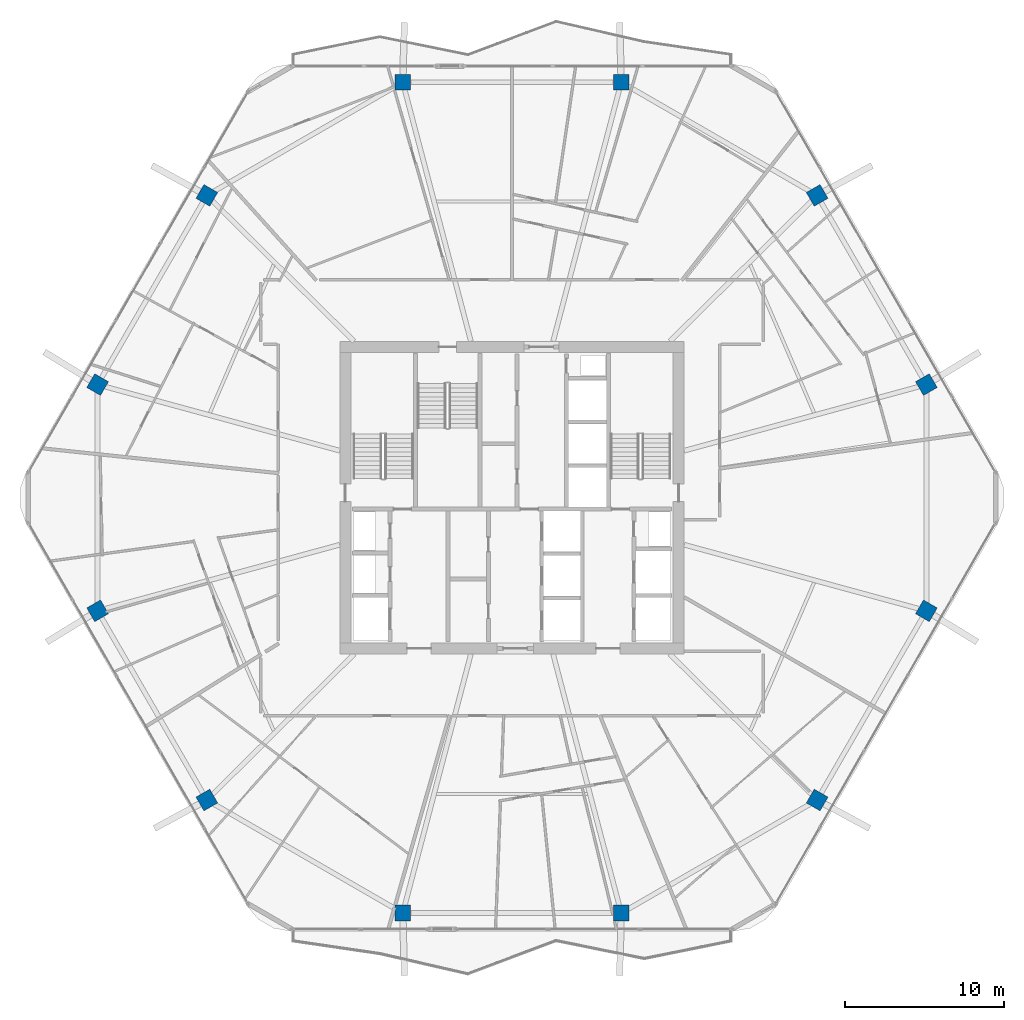
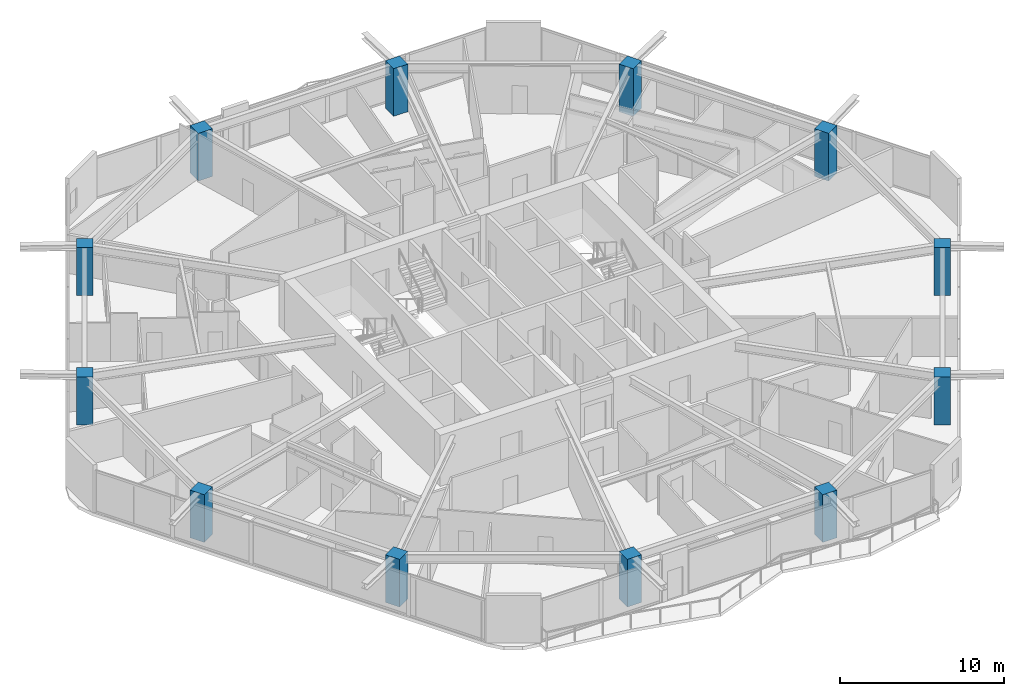
# One storey, part 1 of 25: 12 columns.
"""IFC4 building model written with IfcOpenShell, lengths in metres."""

from ifc_helpers import new_model, si_unit, direction, frame, origin, origin_2d, place, context, subcontext, project, spatial, rectangle, extrude, material, material_profile, profile_set, type_object, element, save


model = new_model("IFC4")

# Units and contexts
model_context = context("Model", 3, precision=1e-05, world=origin(), true_north=direction((0.0, 1.0)))
body_context = subcontext(model_context, "Body", "Model", "MODEL_VIEW")
ifc_project = project(units=[si_unit("LENGTHUNIT", "METRE"), si_unit("AREAUNIT", "SQUARE_METRE"), si_unit("VOLUMEUNIT", "CUBIC_METRE"), si_unit("PLANEANGLEUNIT", "RADIAN"), si_unit("MASSUNIT", "GRAM", prefix="KILO")], contexts=[model_context])

# Site, building, storey
site_placement = place(None, origin())
site = spatial("IfcSite", under=ifc_project, at=site_placement, CompositionType="ELEMENT")
building_placement = place(site_placement, origin())
building = spatial("IfcBuilding", under=site, at=building_placement, Name="Zuhravey Tower", CompositionType="ELEMENT")
storey_placement = place(building_placement, frame((0.0, 0.0, 150.39990234375)))
storey = spatial("IfcBuildingStorey", under=building, at=storey_placement, Name="L37", CompositionType="ELEMENT", Elevation=150.39990234375)

# Columns
ifc_material = material(Name="Concrete C60/75", Category="concrete")
ifc_material_profile = material_profile(ifc_material, rectangle(XDim=1.0, YDim=1.0, at=origin_2d()), Name="RC-1000x1000")
ifc_profile_set = profile_set([ifc_material_profile], Name="Concrete C60/75")
column_type = type_object("IfcColumnType", Name="Zone 2 Perimeter Column 1000x1000", PredefinedType="COLUMN", material=ifc_profile_set)
for number, where, z_axis, x_axis, name in (
    (1, (62.107666015625, 39.12646484375, 0.0), (0.0, 0.0, 1.0), (-0.5, 0.866025403784, 0.0), "L37 Perimeter Column PC01"),
    (2, (55.2255859375, 51.046630859375, 0.0), (0.0, 0.0, 1.0), (-0.5, 0.866025403784, 0.0), "L37 Perimeter Column PC02"),
    (3, (42.882080078125, 58.173095703125, 0.0), (0.0, 0.0, 1.0), (-1.0, 0.0, 0.0), "L37 Perimeter Column PC03"),
    (4, (29.117919921875, 58.173095703125, 0.0), (0.0, 0.0, 1.0), (-1.0, 0.0, 0.0), "L37 Perimeter Column PC04"),
    (5, (16.7744140625, 51.046630859375, 0.0), (0.0, 0.0, 1.0), (-0.5, -0.866025403784, 0.0), "L37 Perimeter Column PC05"),
    (6, (9.892333984375, 39.12646484375, 0.0), (0.0, 0.0, 1.0), (-0.5, -0.866025403784, 0.0), "L37 Perimeter Column PC06"),
    (7, (9.892333984375, 24.87353515625, 0.0), (0.0, 0.0, 1.0), (0.5, -0.866025403784, 0.0), "L37 Perimeter Column PC07"),
    (8, (16.7744140625, 12.953369140625, 0.0), (0.0, 0.0, 1.0), (0.5, -0.866025403784, 0.0), "L37 Perimeter Column PC08"),
    (9, (29.117919921875, 5.826904296875, 0.0), (0.0, 0.0, 1.0), (1.0, 0.0, 0.0), "L37 Perimeter Column PC09"),
    (10, (42.882080078125, 5.826904296875, 0.0), (0.0, 0.0, 1.0), (1.0, 0.0, 0.0), "L37 Perimeter Column PC10"),
    (11, (55.2255859375, 12.953369140625, 0.0), (0.0, 0.0, 1.0), (0.5, 0.866025403784, 0.0), "L37 Perimeter Column PC11"),
    (12, (62.107666015625, 24.87353515625, 0.0), (0.0, 0.0, 1.0), (0.5, 0.866025403784, 0.0), "L37 Perimeter Column PC12"),
):
    element("IfcColumn", number, at=place(storey_placement, frame(where, z_axis=z_axis, x_axis=x_axis)), inside=storey, type_object=column_type, Name=name, PredefinedType="COLUMN", context=body_context, shape_type="SweptSolid", body=[
        extrude(rectangle(XDim=1.0, YDim=1.0, at=origin_2d()), origin(), (0.0, 0.0, 1.0), 3.550048828125),
    ])

save(model, "model.ifc")
